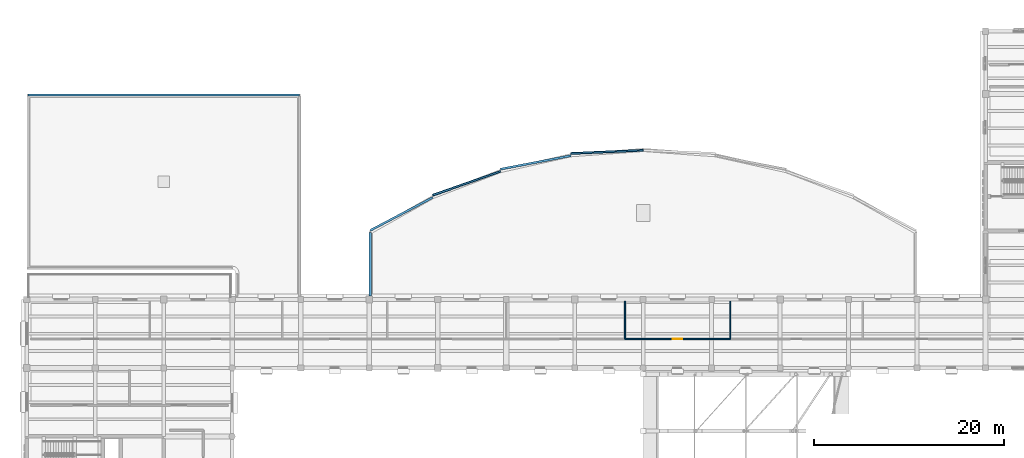
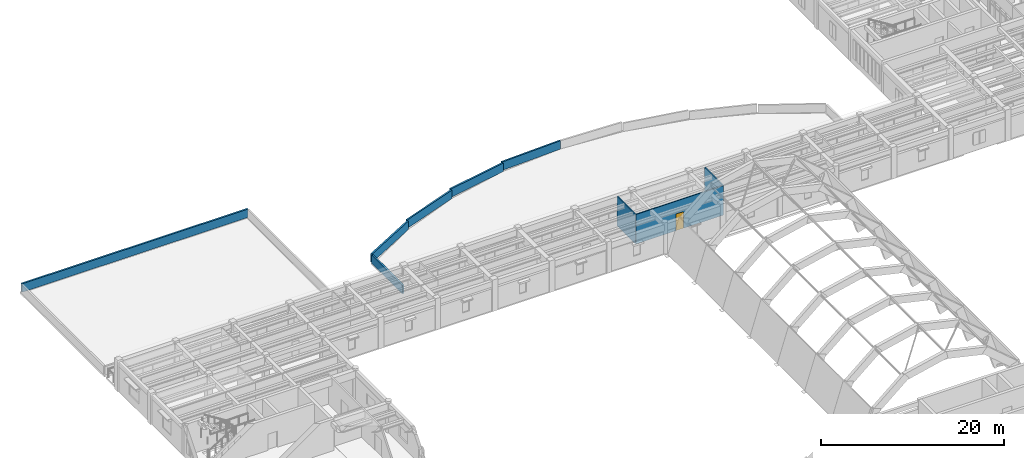
# One storey, part 47 of 66: 9 walls, 1 door, 1 opening.
"""IFC4 building model written with IfcOpenShell, lengths in metres."""

import ifcopenshell
import ifcopenshell.guid

model = None  # the IFC model being written
_history = None  # IfcOwnerHistory: only IFC2X3 demands one
_inside = {}  # id of a spatial element -> (the spatial element, [elements in it])
_under = {}  # id of a project, library or spatial element -> (it, [spatial elements below it])
_declared = {}  # id of a project -> (the project, [libraries it declares])
_typed = {}  # id of a type object -> (the type object, [elements of that type])
_made_of = {}  # id of a material, layer set ... -> (it, [elements and type objects made of it])


def new_model(schema):
    """Start an empty IFC model of exactly this schema.

    Asked for "IFC4X3", IfcOpenShell would pick the latest addendum, in which some entities
    have other attributes; the version numbers below select the first issue.
    IFC2X3 requires an IfcOwnerHistory on every rooted entity: one is made here for all.
    """
    global model, _history
    if schema == "IFC4X3":
        model = ifcopenshell.file(schema_version=(4, 3, 0, 0))
    else:
        model = ifcopenshell.file(schema=schema)
    _inside.clear()
    _under.clear()
    _declared.clear()
    _typed.clear()
    _made_of.clear()
    _history = None
    if model.schema == "IFC2X3":
        org = make("IfcOrganization", Name="unknown")
        user = make(
            "IfcPersonAndOrganization",
            ThePerson=make("IfcPerson", FamilyName="unknown"),
            TheOrganization=org,
        )
        app = make(
            "IfcApplication",
            ApplicationDeveloper=org,
            Version="unknown",
            ApplicationFullName="unknown",
            ApplicationIdentifier="unknown",
        )
        _history = make(
            "IfcOwnerHistory",
            OwningUser=user,
            OwningApplication=app,
            ChangeAction="ADDED",
            CreationDate=0,
        )
    return model


def make(cls, **values):
    """One entity of the class cls with the attributes given. An attribute that is None is left unset."""
    return model.create_entity(
        cls, **{name: value for name, value in values.items() if value is not None}
    )


def rooted(cls, **values):
    """An entity with a GlobalId (a new one), such as an element, a storey or a relation."""
    return make(cls, GlobalId=ifcopenshell.guid.new(), OwnerHistory=_history, **values)


def si_unit(unit_type, name, prefix=None):
    """IfcSIUnit, for example si_unit("LENGTHUNIT", "METRE", prefix="MILLI")."""
    return make("IfcSIUnit", UnitType=unit_type, Prefix=prefix, Name=name)


def assignment(units):
    """IfcUnitAssignment: the units of a project."""
    return None if units is None else make("IfcUnitAssignment", Units=units)


def point(xyz):
    """IfcCartesianPoint."""
    return None if xyz is None else make("IfcCartesianPoint", Coordinates=xyz)


def direction(xyz):
    """IfcDirection."""
    return None if xyz is None else make("IfcDirection", DirectionRatios=xyz)


def frame(location, z_axis=None, x_axis=None):
    """IfcAxis2Placement3D, a coordinate frame: its origin and axes. An axis left out is left unset."""
    return make(
        "IfcAxis2Placement3D",
        Location=point(location),
        Axis=direction(z_axis),
        RefDirection=direction(x_axis),
    )


def frame_2d(location, x_axis=None):
    """IfcAxis2Placement2D, a coordinate frame in the plane: its origin and x axis."""
    return make(
        "IfcAxis2Placement2D", Location=point(location), RefDirection=direction(x_axis)
    )


def origin():
    """The frame at (0, 0, 0) with its axes left unset."""
    return frame((0.0, 0.0, 0.0))


def place(relative_to, where):
    """IfcLocalPlacement: puts the frame where relative to a parent placement (None: the world)."""
    return make(
        "IfcLocalPlacement", PlacementRelTo=relative_to, RelativePlacement=where
    )


def context(
    kind, dimensions, precision=None, world=None, true_north=None, identifier=None
):
    """IfcGeometricRepresentationContext, for example the 3D "Model" context."""
    return make(
        "IfcGeometricRepresentationContext",
        ContextIdentifier=identifier,
        ContextType=kind,
        CoordinateSpaceDimension=dimensions,
        Precision=precision,
        WorldCoordinateSystem=world,
        TrueNorth=true_north,
    )


def subcontext(parent, identifier, kind, view, scale=None):
    """IfcGeometricRepresentationSubContext, for example "Body" below "Model"."""
    return make(
        "IfcGeometricRepresentationSubContext",
        ContextIdentifier=identifier,
        ContextType=kind,
        ParentContext=parent,
        TargetScale=scale,
        TargetView=view,
    )


def project(units=None, contexts=None):
    """IfcProject with its units and contexts."""
    return rooted(
        "IfcProject",
        Name="project",
        RepresentationContexts=contexts,
        UnitsInContext=assignment(units),
    )


def spatial(cls, under=None, at=None, **own):
    """A site, building, storey or space (cls), placed at a placement, below another one or the project."""
    s = rooted(cls, ObjectPlacement=at, **own)
    if under is not None:
        _under.setdefault(under.id(), (under, []))[1].append(s)
    return s


def profile(cls, at=None, kind="AREA", **sizes):
    """A parametric profile (cls). Its sizes go by their IFC names, for example OverallWidth=200.0."""
    return make(cls, ProfileType=kind, Position=at, **sizes)


def rectangle(**sizes):
    """IfcRectangleProfileDef."""
    return profile("IfcRectangleProfileDef", **sizes)


def extrude(swept, where, along, depth):
    """IfcExtrudedAreaSolid: the profile swept, set in the frame where, extruded along a direction by depth."""
    return make(
        "IfcExtrudedAreaSolid",
        SweptArea=swept,
        Position=where,
        ExtrudedDirection=direction(along),
        Depth=depth,
    )


def shape(context_of_items, identifier, shape_type, items):
    """IfcShapeRepresentation: the items that make up one representation, for example the "Body"."""
    return make(
        "IfcShapeRepresentation",
        ContextOfItems=context_of_items,
        RepresentationIdentifier=identifier,
        RepresentationType=shape_type,
        Items=items,
    )


def material(Name=None, Category=None):
    """IfcMaterial."""
    return make("IfcMaterial", Name=Name, Category=Category)


def layer(
    of_material, thickness, ventilated=None, Name=None, Category=None, Priority=None
):
    """IfcMaterialLayer: one layer of a wall or slab, of a material (None: an air gap)."""
    return make(
        "IfcMaterialLayer",
        Material=of_material,
        LayerThickness=thickness,
        IsVentilated=ventilated,
        Name=Name,
        Category=Category,
        Priority=Priority,
    )


def layer_set(layers, Name=None):
    """IfcMaterialLayerSet."""
    return make("IfcMaterialLayerSet", MaterialLayers=layers, LayerSetName=Name)


def made_of(thing, what):
    """Note that an element or type object is made of a material, layer set ...; save() writes the relation."""
    if what is not None:
        _made_of.setdefault(what.id(), (what, []))[1].append(thing)
    return thing


def type_object(cls, material=None, **own):
    """A type object (cls), such as IfcWallType, which elements share."""
    return made_of(rooted(cls, **own), material)


def element(
    cls,
    number,
    at=None,
    inside=None,
    cuts=None,
    type_object=None,
    material=None,
    context=None,
    identifier="Body",
    shape_type=None,
    held_by="IfcProductDefinitionShape",
    body=None,
    shapes=None,
    **own,
):
    """One element of the class cls, such as IfcWall. Its Tag is "e" and its number.

    at: its placement. inside: the storey or other place that contains it. cuts: it is an
    opening in that element (IfcRelVoidsElement). A single representation is given by context,
    identifier, shape_type and body (its items); several are given by shapes. held_by: the class
    of the entity that holds the representations. save() writes the other relations.
    """
    e = rooted(cls, Tag="e%d" % number, ObjectPlacement=at, **own)
    if body is not None:
        shapes = [shape(context, identifier, shape_type, body)]
    if shapes is not None:
        e.Representation = make(held_by, Representations=shapes)
    if inside is not None:
        _inside.setdefault(inside.id(), (inside, []))[1].append(e)
    if cuts is not None:
        rooted(
            "IfcRelVoidsElement", RelatingBuildingElement=cuts, RelatedOpeningElement=e
        )
    if type_object is not None:
        _typed.setdefault(type_object.id(), (type_object, []))[1].append(e)
    return made_of(e, material)


def fill(opening, filler):
    """IfcRelFillsElement: the door or window that sits in an opening."""
    return rooted(
        "IfcRelFillsElement",
        RelatingOpeningElement=opening,
        RelatedBuildingElement=filler,
    )


def aggregate(whole, parts):
    """IfcRelAggregates: a whole, such as a stair, and the parts it consists of."""
    return rooted("IfcRelAggregates", RelatingObject=whole, RelatedObjects=parts)


def save(model, path):
    """Write the relations noted so far, then the file.

    IfcRelAggregates (storeys below a building ...), IfcRelContainedInSpatialStructure (elements
    in a storey), IfcRelDefinesByType, IfcRelAssociatesMaterial and IfcRelDeclares: one each for
    every whole, place, type object, material and project.
    """
    for whole, parts in _under.values():
        aggregate(whole, parts)
    for where, things in _inside.values():
        rooted(
            "IfcRelContainedInSpatialStructure",
            RelatedElements=things,
            RelatingStructure=where,
        )
    for kind, things in _typed.values():
        rooted("IfcRelDefinesByType", RelatedObjects=things, RelatingType=kind)
    for what, things in _made_of.values():
        rooted("IfcRelAssociatesMaterial", RelatedObjects=things, RelatingMaterial=what)
    for by, libraries in _declared.values():
        rooted("IfcRelDeclares", RelatingContext=by, RelatedDefinitions=libraries)
    model.write(path)


model = new_model("IFC4")

# Units and contexts
model_context = context("Model", 3, precision=1e-05, world=origin(), true_north=direction((0.0, 1.0)))
body_context = subcontext(model_context, "Body", "Model", "MODEL_VIEW")
ifc_project = project(units=[si_unit("LENGTHUNIT", "METRE"), si_unit("AREAUNIT", "SQUARE_METRE"), si_unit("VOLUMEUNIT", "CUBIC_METRE"), si_unit("PLANEANGLEUNIT", "RADIAN"), si_unit("MASSUNIT", "GRAM", prefix="KILO")], contexts=[model_context])

# Site, building, storey
site_placement = place(None, origin())
site = spatial("IfcSite", under=ifc_project, at=site_placement, CompositionType="ELEMENT")
building_placement = place(site_placement, origin())
building = spatial("IfcBuilding", under=site, at=building_placement, Name="Mithqara Police Headquarters", CompositionType="ELEMENT")
storey_placement = place(building_placement, frame((0.0, 0.0, 9.60009765625)))
storey = spatial("IfcBuildingStorey", under=building, at=storey_placement, Name="L02", CompositionType="ELEMENT", Elevation=9.60009765625)

# Walls
ifc_material_1 = material(Name="Limestone ashlar masonry, 45 MPa", Category="masonry")
ifc_layer_1 = layer(ifc_material_1, 0.199951171875, Name="Limestone ashlar masonry, 45 MPa")
ifc_layer_set_1 = layer_set([ifc_layer_1], Name="Limestone ashlar masonry, 45 MPa")
wall_type_1 = type_object("IfcWallType", Name="PARAPET WALL 200", PredefinedType="PARAPET", material=ifc_layer_set_1)
wall_1_placement = place(storey_placement, frame((50.4873046875, 96.755859375, 0.0), z_axis=(0.0, 0.0, 1.0), x_axis=(0.942888552686, 0.333108356565, 0.0)))
element("IfcWall", 1, at=wall_1_placement, inside=storey, type_object=wall_type_1, Name="L02 Limestone Roof Parapet ROOF-SWEPT-ARCADE-2", PredefinedType="PARAPET", context=body_context, shape_type="SweptSolid", body=[
    extrude(rectangle(XDim=7.531494140625, YDim=0.199951171875, at=frame_2d((3.765625, 0.0))), origin(), (0.0, 0.0, 1.0), 1.119873046875),
])
wall_2_placement = place(storey_placement, frame((65.0126953125, 101.145751953125, 0.0), z_axis=(0.0, 0.0, 1.0), x_axis=(0.999011301697, 0.044456935139, 0.0)))
element("IfcWall", 2, at=wall_2_placement, inside=storey, type_object=wall_type_1, Name="L02 Limestone Roof Parapet ROOF-SWEPT-ARCADE-4", PredefinedType="PARAPET", context=body_context, shape_type="SweptSolid", body=[
    extrude(rectangle(XDim=7.594970703125, YDim=0.199951171875, at=frame_2d((3.79736328125, 0.0))), origin(), (0.0, 0.0, 1.0), 1.119873046875),
])
ifc_layer_2 = layer(ifc_material_1, 0.219970703125, Name="Limestone ashlar masonry, 45 MPa")
ifc_layer_set_2 = layer_set([ifc_layer_2], Name="Limestone ashlar masonry, 45 MPa")
wall_type_2 = type_object("IfcWallType", Name="PARAPET WALL 220", PredefinedType="PARAPET", material=ifc_layer_set_2)
wall_3_placement = place(storey_placement, frame((7.909912109375, 107.2900390625, 0.0), z_axis=(0.0, 0.0, 1.0), x_axis=(1.0, 0.0, 0.0)))
element("IfcWall", 3, at=wall_3_placement, inside=storey, type_object=wall_type_2, Name="L02 Limestone Roof Parapet ROOF-L01-00-1", PredefinedType="PARAPET", context=body_context, shape_type="SweptSolid", body=[
    extrude(rectangle(XDim=28.580078125, YDim=0.219970703125, at=frame_2d((14.2900390625, 0.0))), origin(), (0.0, 0.0, 1.0), 1.119873046875),
])
wall_4_placement = place(storey_placement, frame((43.909912109375, 93.055908203125, 0.0), z_axis=(0.0, 0.0, 1.0), x_axis=(0.884464169222, 0.466608115406, 0.0)))
element("IfcWall", 4, at=wall_4_placement, inside=storey, type_object=wall_type_2, Name="L02 Limestone Roof Parapet ROOF-SWEPT-ARCADE-1", PredefinedType="PARAPET", context=body_context, shape_type="SweptSolid", body=[
    extrude(rectangle(XDim=7.4365234375, YDim=0.219970703125, at=frame_2d((3.71826171875, 0.0))), origin(), (0.0, 0.0, 1.0), 1.119873046875),
])
wall_5_placement = place(storey_placement, frame((57.588623046875, 99.49462890625, 0.0), z_axis=(0.0, 0.0, 1.0), x_axis=(0.98216712205, 0.188009958152, 0.0)))
element("IfcWall", 5, at=wall_5_placement, inside=storey, type_object=wall_type_2, Name="L02 Limestone Roof Parapet ROOF-SWEPT-ARCADE-3", PredefinedType="PARAPET", context=body_context, shape_type="SweptSolid", body=[
    extrude(rectangle(XDim=7.558837890625, YDim=0.219970703125, at=frame_2d((3.779296875, 0.0))), origin(), (0.0, 0.0, 1.0), 1.119873046875),
])
wall_6_placement = place(storey_placement, frame((43.909912109375, 86.139892578125, 0.0), z_axis=(0.0, 0.0, 1.0), x_axis=(0.0, 1.0, 0.0)))
element("IfcWall", 6, at=wall_6_placement, inside=storey, type_object=wall_type_2, Name="L02 Limestone Roof Parapet ROOF-SWEPT-ARCADE-11", PredefinedType="PARAPET", context=body_context, shape_type="SweptSolid", body=[
    extrude(rectangle(XDim=6.676025390625, YDim=0.219970703125, at=frame_2d((3.337890625, 0.0))), origin(), (0.0, 0.0, 1.0), 1.119873046875),
])
ifc_material_2 = material(Name="Gypsum acoustic stud partition", Category="gypsum")
ifc_layer_3 = layer(ifc_material_2, 0.1201171875, Name="Gypsum acoustic stud partition")
ifc_layer_set_3 = layer_set([ifc_layer_3], Name="Gypsum acoustic stud partition")
wall_type_3 = type_object("IfcWallType", Name="PART WALL 120", PredefinedType="PARTITIONING", material=ifc_layer_set_3)
wall_7_placement = place(storey_placement, frame((70.695068359375, 81.639892578125, 0.0), z_axis=(0.0, 0.0, 1.0), x_axis=(0.0, 1.0, 0.0)))
element("IfcWall", 7, at=wall_7_placement, inside=storey, type_object=wall_type_3, Name="L02 Room Partition Crime Statistics Analysis Room", PredefinedType="PARTITIONING", context=body_context, shape_type="SweptSolid", body=[
    extrude(rectangle(XDim=3.980224609375, YDim=0.1201171875, at=frame_2d((1.990234375, 0.0))), origin(), (0.0, 0.0, 1.0), 3.93994140625),
])

# Wall, opening, door
wall_8_placement = place(storey_placement, frame((70.695068359375, 81.639892578125, 0.0), z_axis=(0.0, 0.0, 1.0), x_axis=(1.0, 0.0, 0.0)))
wall_8 = element("IfcWall", 8, at=wall_8_placement, inside=storey, type_object=wall_type_3, Name="L02 Corridor Wall Briefing Room", PredefinedType="PARTITIONING", context=body_context, shape_type="SweptSolid", body=[
    extrude(rectangle(XDim=11.044921875, YDim=0.1201171875, at=frame_2d((5.5224609375, 0.0))), origin(), (0.0, 0.0, 1.0), 3.93994140625),
])
opening_placement = place(wall_8_placement, frame((5.032470703125, 0.0, 0.0)))
opening = element("IfcOpeningElement", 9, at=opening_placement, cuts=wall_8, Name="Opening D-05", PredefinedType="OPENING", context=body_context, shape_type="SweptSolid", body=[
    extrude(rectangle(XDim=0.97998046875, YDim=2.219970703125, at=frame_2d((0.489990234375, 1.10986328125))), frame((0.0, 0.070068359375, 0.0), z_axis=(0.0, -1.0, 0.0), x_axis=(1.0, 0.0, 0.0)), (0.0, 0.0, 1.0), 0.14013671875),
])
ifc_material_3 = material(Name="Acoustic solid-core timber leaf", Category="wood")
door_type = type_object("IfcDoorType", Name="INT DOOR 980X2220", OperationType="NOTDEFINED", PredefinedType="DOOR", material=ifc_material_3)
door_placement = place(opening_placement, origin())
door = element("IfcDoor", 10, at=door_placement, inside=storey, type_object=door_type, Name="Briefing Room Entry Door", OperationType="SINGLE_SWING_RIGHT", OverallHeight=2.219970703125, OverallWidth=0.97998046875, PredefinedType="DOOR", context=body_context, shape_type="SweptSolid", body=[
    extrude(rectangle(XDim=0.97998046875, YDim=2.219970703125, at=frame_2d((0.489990234375, 1.10986328125))), frame((0.0, 0.02490234375, 0.0), z_axis=(0.0, -1.0, 0.0), x_axis=(1.0, 0.0, 0.0)), (0.0, 0.0, 1.0), 0.050048828125),
])
fill(opening, door)

# Wall
wall_9_placement = place(storey_placement, frame((81.739990234375, 81.639892578125, 0.0), z_axis=(0.0, 0.0, 1.0), x_axis=(0.0, 1.0, 0.0)))
element("IfcWall", 11, at=wall_9_placement, inside=storey, type_object=wall_type_3, Name="L02 Room Partition Briefing Room", PredefinedType="PARTITIONING", context=body_context, shape_type="SweptSolid", body=[
    extrude(rectangle(XDim=3.980224609375, YDim=0.1201171875, at=frame_2d((1.990234375, 0.0))), origin(), (0.0, 0.0, 1.0), 3.93994140625),
])

save(model, "model.ifc")
